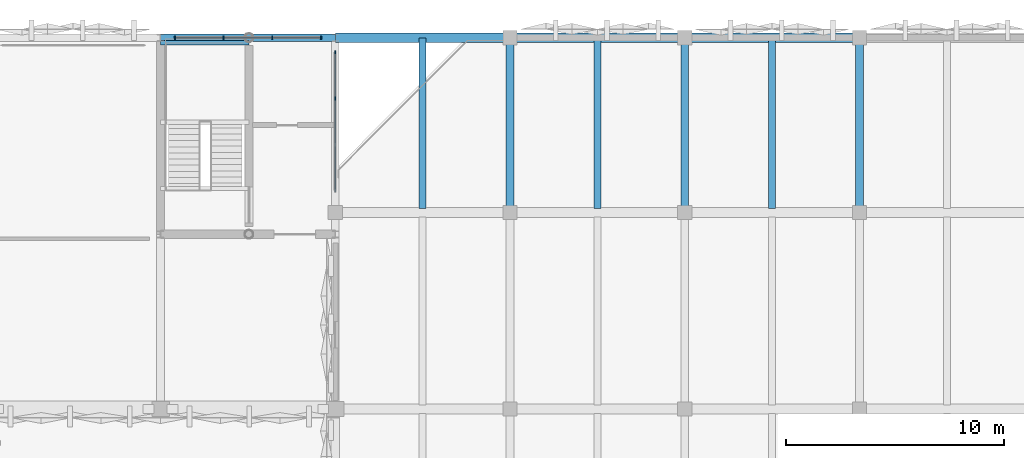
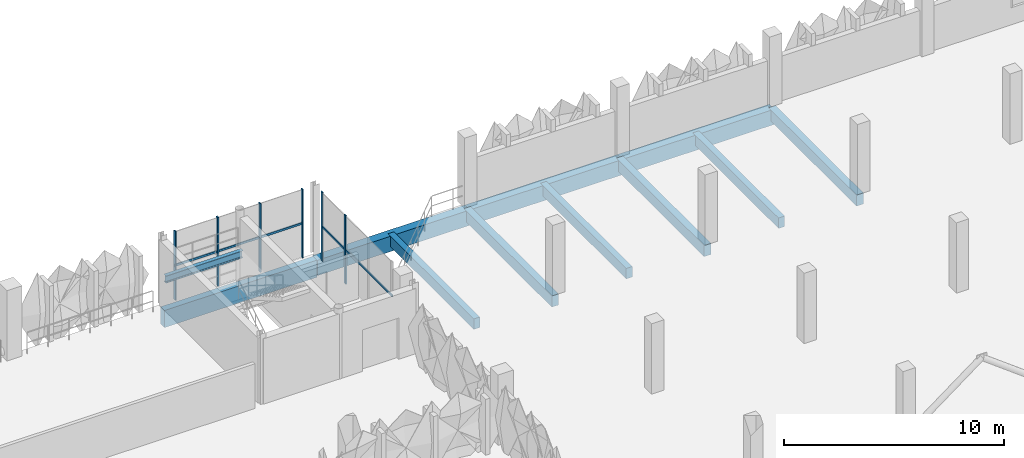
# One storey, part 35 of 96: 11 beams, 8 members, 2 elements without a shape of their own.
"""IFC4 building model written with IfcOpenShell, lengths in metres."""

from ifc_helpers import new_model, si_unit, derived_unit, direction, frame, origin, origin_2d, place, context, subcontext, project, spatial, rectangle, i_section, extrude, material, layer, layer_set, material_profile, profile_set, type_object, element, aggregate, save


model = new_model("IFC4")

# Units and contexts
model_context = context("Model", 3, precision=1e-05, world=origin(), true_north=direction((0.0, 1.0)))
body_context = subcontext(model_context, "Body", "Model", "MODEL_VIEW")
ifc_project = project(units=[si_unit("LENGTHUNIT", "METRE"), si_unit("AREAUNIT", "SQUARE_METRE"), si_unit("VOLUMEUNIT", "CUBIC_METRE"), si_unit("PLANEANGLEUNIT", "RADIAN"), si_unit("MASSUNIT", "GRAM", prefix="KILO"), si_unit("THERMODYNAMICTEMPERATUREUNIT", "KELVIN"), derived_unit("THERMALTRANSMITTANCEUNIT", [(si_unit("POWERUNIT", "WATT"), 1), (si_unit("AREAUNIT", "SQUARE_METRE"), -1), (si_unit("THERMODYNAMICTEMPERATUREUNIT", "KELVIN"), -1)])], contexts=[model_context])

# Site, building, storey
site_placement = place(None, origin())
site = spatial("IfcSite", under=ifc_project, at=site_placement, CompositionType="ELEMENT")
building_placement = place(site_placement, origin())
building = spatial("IfcBuilding", under=site, at=building_placement, Name="Haiyu Intermodal Mobility Hub", CompositionType="ELEMENT")
storey_placement = place(building_placement, frame((0.0, 0.0, 9.5)))
storey = spatial("IfcBuildingStorey", under=building, at=storey_placement, Name="L02", CompositionType="ELEMENT", Elevation=9.5)

# Beams
ifc_material_1 = material(Name="Concrete C40", Category="concrete")
ifc_material_profile_1 = material_profile(ifc_material_1, rectangle(XDim=0.449951171875, YDim=0.85009765625, at=origin_2d()), Name="RCB450x850")
ifc_profile_set_1 = profile_set([ifc_material_profile_1], Name="Concrete C40")
beam_type_1 = type_object("IfcBeamType", Name="BM-CB02-EXT", PredefinedType="BEAM", material=ifc_profile_set_1)
for number, where, z_axis, x_axis, name in (
    (1, (162.0, 148.0, -0.68505859375), (1.0, 0.0, 0.0), (0.0, 1.0, 0.0), "BM-V6G-L02-049"),
    (2, (170.0, 148.0, -0.68505859375), (1.0, 0.0, 0.0), (0.0, 1.0, 0.0), "BM-V6G-L02-050"),
    (3, (178.0, 148.0, -0.68505859375), (1.0, 0.0, 0.0), (0.0, 1.0, 0.0), "BM-V6G-L02-051"),
):
    element("IfcBeam", number, at=place(storey_placement, frame(where, z_axis=z_axis, x_axis=x_axis)), inside=storey, type_object=beam_type_1, Name=name, PredefinedType="BEAM", context=body_context, shape_type="SweptSolid", body=[
        extrude(rectangle(XDim=0.449951171875, YDim=0.85009765625, at=origin_2d()), origin(), (0.0, 0.0, 1.0), 8.0),
    ])
ifc_material_profile_2 = material_profile(ifc_material_1, rectangle(XDim=0.360107421875, YDim=0.6201171875, at=origin_2d()), Name="B360x620")
ifc_profile_set_2 = profile_set([ifc_material_profile_2], Name="Concrete C40")
beam_type_2 = type_object("IfcBeamType", Name="BM-CB16", PredefinedType="BEAM", material=ifc_profile_set_2)
for number, where, z_axis, x_axis, name in (
    (4, (170.0, 140.0, -0.570068359375), (0.0, 1.0, 0.0), (-1.0, 0.0, 0.0), "BM-V6T-L02-016"),
    (5, (178.0, 140.0, -0.570068359375), (0.0, 1.0, 0.0), (-1.0, 0.0, 0.0), "BM-V6T-L02-024"),
    (6, (186.0, 140.0, -0.570068359375), (0.0, 1.0, 0.0), (-1.0, 0.0, 0.0), "BM-V6T-L02-032"),
):
    element("IfcBeam", number, at=place(storey_placement, frame(where, z_axis=z_axis, x_axis=x_axis)), inside=storey, type_object=beam_type_2, Name=name, PredefinedType="BEAM", context=body_context, shape_type="SweptSolid", body=[
        extrude(rectangle(XDim=0.360107421875, YDim=0.6201171875, at=origin_2d()), origin(), (0.0, 0.0, 1.0), 8.0),
    ])
ifc_material_profile_3 = material_profile(ifc_material_1, rectangle(XDim=0.320068359375, YDim=0.580078125, at=origin_2d()), Name="B320x580")
ifc_profile_set_3 = profile_set([ifc_material_profile_3], Name="Concrete C40")
beam_type_3 = type_object("IfcBeamType", Name="BM-CB17", PredefinedType="JOIST", material=ifc_profile_set_3)
for number, where, z_axis, x_axis, name in (
    (7, (166.0, 140.195068359375, -0.550048828125), (0.0, 1.0, 0.0), (-1.0, 0.0, 0.0), "BM-V6J-L02-008"),
    (8, (174.0, 140.195068359375, -0.550048828125), (0.0, 1.0, 0.0), (-1.0, 0.0, 0.0), "BM-V6J-L02-016"),
    (9, (182.0, 140.195068359375, -0.550048828125), (0.0, 1.0, 0.0), (-1.0, 0.0, 0.0), "BM-V6J-L02-022"),
):
    element("IfcBeam", number, at=place(storey_placement, frame(where, z_axis=z_axis, x_axis=x_axis)), inside=storey, type_object=beam_type_3, Name=name, PredefinedType="JOIST", context=body_context, shape_type="SweptSolid", body=[
        extrude(rectangle(XDim=0.320068359375, YDim=0.580078125, at=origin_2d()), origin(), (0.0, 0.0, 1.0), 7.804931640625),
    ])
ifc_material_2 = material(Name="Steel Q355C", Category="steel")
ifc_material_profile_4 = material_profile(ifc_material_2, i_section(OverallWidth=0.199951171875, OverallDepth=0.39990234375, WebThickness=0.008056640625, FlangeThickness=0.012939453125, FilletRadius=0.01611328125, at=origin_2d()), Name="HN400x200x8x13")
ifc_profile_set_4 = profile_set([ifc_material_profile_4], Name="Steel Q355C")
beam_type_4 = type_object("IfcBeamType", Name="BM-SB08", PredefinedType="JOIST", material=ifc_profile_set_4)
beam_1_placement = place(storey_placement, frame((154.0, 147.780029296875, 1.52490234375), z_axis=(1.0, 0.0, 0.0), x_axis=(0.0, 1.0, 0.0)))
element("IfcBeam", 10, at=beam_1_placement, inside=storey, type_object=beam_type_4, Name="Stair Half-Landing Rear Beam C4-L02", PredefinedType="JOIST", context=body_context, shape_type="SweptSolid", body=[
    extrude(i_section(OverallWidth=0.199951171875, OverallDepth=0.39990234375, WebThickness=0.008056640625, FlangeThickness=0.012939453125, FilletRadius=0.01611328125, at=origin_2d()), origin(), (0.0, 0.0, 1.0), 4.050048828125),
])
ifc_material_3 = material(Name="Precast concrete C40", Category="concrete")
ifc_material_profile_5 = material_profile(ifc_material_3, rectangle(XDim=0.35009765625, YDim=0.949951171875, at=origin_2d()), Name="PC350x950")
ifc_profile_set_5 = profile_set([ifc_material_profile_5], Name="Precast concrete C40")
beam_type_5 = type_object("IfcBeamType", Name="BM-SP01", PredefinedType="SPANDREL", material=ifc_profile_set_5)
beam_2_placement = place(storey_placement, frame((154.0, 148.0, -0.75), z_axis=(1.0, 0.0, 0.0), x_axis=(0.0, 1.0, 0.0)))
element("IfcBeam", 11, at=beam_2_placement, inside=storey, type_object=beam_type_5, Name="BM-V4G-L02-056", PredefinedType="SPANDREL", context=body_context, shape_type="SweptSolid", body=[
    extrude(rectangle(XDim=0.35009765625, YDim=0.949951171875, at=origin_2d()), origin(), (0.0, 0.0, 1.0), 8.0),
])

# Curtain wall, members
ifc_material_4 = material(Name="Low-e laminated insulating glass", Category="glass")
ifc_layer = layer(ifc_material_4, 0.199951171875)
ifc_layer_set = layer_set([ifc_layer], Name="Low-e laminated insulating glass")
curtain_wall_type = type_object("IfcCurtainWallType", Name="CW-CW03", PredefinedType="NOTDEFINED", material=ifc_layer_set)
curtain_wall_1_placement = place(storey_placement, origin())
curtain_wall_1 = element("IfcCurtainWall", 12, at=curtain_wall_1_placement, inside=storey, type_object=curtain_wall_type, Name="Curtain Wall CW-C4N-L02-067", PredefinedType="NOTDEFINED")
ifc_material_5 = material(Name="Anodised aluminium 6063-T6", Category="aluminium")
ifc_material_profile_6 = material_profile(ifc_material_5, rectangle(XDim=0.06005859375, YDim=0.14501953125, at=origin_2d()), Name="ALU60x145")
ifc_profile_set_6 = profile_set([ifc_material_profile_6], Name="Anodised aluminium 6063-T6")
member_type_1 = type_object("IfcMemberType", Name="CWM-ML03", PredefinedType="MULLION", material=ifc_profile_set_6)
member_1_placement = place(storey_placement, frame((161.340087890625, 148.0, 0.0), z_axis=(0.0, 0.0, 1.0), x_axis=(1.0, 0.0, 0.0)))
member_1 = element("IfcMember", 13, at=member_1_placement, type_object=member_type_1, Name="CW-C4N-L02-067-ML01", PredefinedType="MULLION", context=body_context, shape_type="SweptSolid", body=[
    extrude(rectangle(XDim=0.06005859375, YDim=0.14501953125, at=origin_2d()), origin(), (0.0, 0.0, 1.0), 3.820068359375),
])
member_2_placement = place(storey_placement, frame((159.113037109375, 148.0, 0.0), z_axis=(0.0, 0.0, 1.0), x_axis=(1.0, 0.0, 0.0)))
member_2 = element("IfcMember", 14, at=member_2_placement, type_object=member_type_1, Name="CW-C4N-L02-067-ML02", PredefinedType="MULLION", context=body_context, shape_type="SweptSolid", body=[
    extrude(rectangle(XDim=0.06005859375, YDim=0.14501953125, at=origin_2d()), origin(), (0.0, 0.0, 1.0), 3.820068359375),
])
member_3_placement = place(storey_placement, frame((156.886962890625, 148.0, 0.0), z_axis=(0.0, 0.0, 1.0), x_axis=(1.0, 0.0, 0.0)))
member_3 = element("IfcMember", 15, at=member_3_placement, type_object=member_type_1, Name="CW-C4N-L02-067-ML03", PredefinedType="MULLION", context=body_context, shape_type="SweptSolid", body=[
    extrude(rectangle(XDim=0.06005859375, YDim=0.14501953125, at=origin_2d()), origin(), (0.0, 0.0, 1.0), 3.820068359375),
])
member_4_placement = place(storey_placement, frame((154.659912109375, 148.0, 0.0), z_axis=(0.0, 0.0, 1.0), x_axis=(1.0, 0.0, 0.0)))
member_4 = element("IfcMember", 16, at=member_4_placement, type_object=member_type_1, Name="CW-C4N-L02-067-ML04", PredefinedType="MULLION", context=body_context, shape_type="SweptSolid", body=[
    extrude(rectangle(XDim=0.06005859375, YDim=0.14501953125, at=origin_2d()), origin(), (0.0, 0.0, 1.0), 3.820068359375),
])

curtain_wall_2_placement = place(storey_placement, origin())
curtain_wall_2 = element("IfcCurtainWall", 17, at=curtain_wall_2_placement, inside=storey, type_object=curtain_wall_type, Name="Curtain Wall CW-C4S-L02-068", PredefinedType="NOTDEFINED")
member_5_placement = place(storey_placement, frame((162.0, 145.222900390625, 0.0), z_axis=(0.0, 0.0, 1.0), x_axis=(1.0, 0.0, 0.0)))
member_5 = element("IfcMember", 18, at=member_5_placement, type_object=member_type_1, Name="CW-C4S-L02-068-ML03", PredefinedType="MULLION", context=body_context, shape_type="SweptSolid", body=[
    extrude(rectangle(XDim=0.06005859375, YDim=0.14501953125, at=origin_2d()), origin(), (0.0, 0.0, 1.0), 3.820068359375),
])
member_6_placement = place(storey_placement, frame((162.0, 147.340087890625, 0.0), z_axis=(0.0, 0.0, 1.0), x_axis=(1.0, 0.0, 0.0)))
member_6 = element("IfcMember", 19, at=member_6_placement, type_object=member_type_1, Name="CW-C4S-L02-068-ML04", PredefinedType="MULLION", context=body_context, shape_type="SweptSolid", body=[
    extrude(rectangle(XDim=0.06005859375, YDim=0.14501953125, at=origin_2d()), origin(), (0.0, 0.0, 1.0), 3.820068359375),
])

# Member
ifc_material_profile_7 = material_profile(ifc_material_5, rectangle(XDim=0.06005859375, YDim=0.114990234375, at=origin_2d()), Name="ALU60x115")
ifc_profile_set_7 = profile_set([ifc_material_profile_7], Name="Anodised aluminium 6063-T6")
member_type_2 = type_object("IfcMemberType", Name="CWM-TR03", PredefinedType="USERDEFINED", material=ifc_profile_set_7)
member_7_placement = place(storey_placement, frame((161.3798828125, 148.0, 1.909912109375), z_axis=(-1.0, 0.0, 0.0), x_axis=(0.0, -1.0, 0.0)))
member_7 = element("IfcMember", 20, at=member_7_placement, type_object=member_type_2, Name="CW-C4N-L02-067-TR01", ObjectType="TRANSOM", PredefinedType="USERDEFINED", context=body_context, shape_type="SweptSolid", body=[
    extrude(rectangle(XDim=0.06005859375, YDim=0.114990234375, at=origin_2d()), origin(), (0.0, 0.0, 1.0), 6.759765625),
])

aggregate(curtain_wall_1, [member_1, member_2, member_3, member_4, member_7])

member_8_placement = place(storey_placement, frame((162.0, 140.949951171875, 1.909912109375), z_axis=(0.0, 1.0, 0.0), x_axis=(-1.0, 0.0, 0.0)))
member_8 = element("IfcMember", 21, at=member_8_placement, type_object=member_type_2, Name="CW-C4S-L02-068-TR01", ObjectType="TRANSOM", PredefinedType="USERDEFINED", context=body_context, shape_type="SweptSolid", body=[
    extrude(rectangle(XDim=0.06005859375, YDim=0.114990234375, at=origin_2d()), origin(), (0.0, 0.0, 1.0), 6.429931640625),
])

aggregate(curtain_wall_2, [member_5, member_6, member_8])

save(model, "model.ifc")
